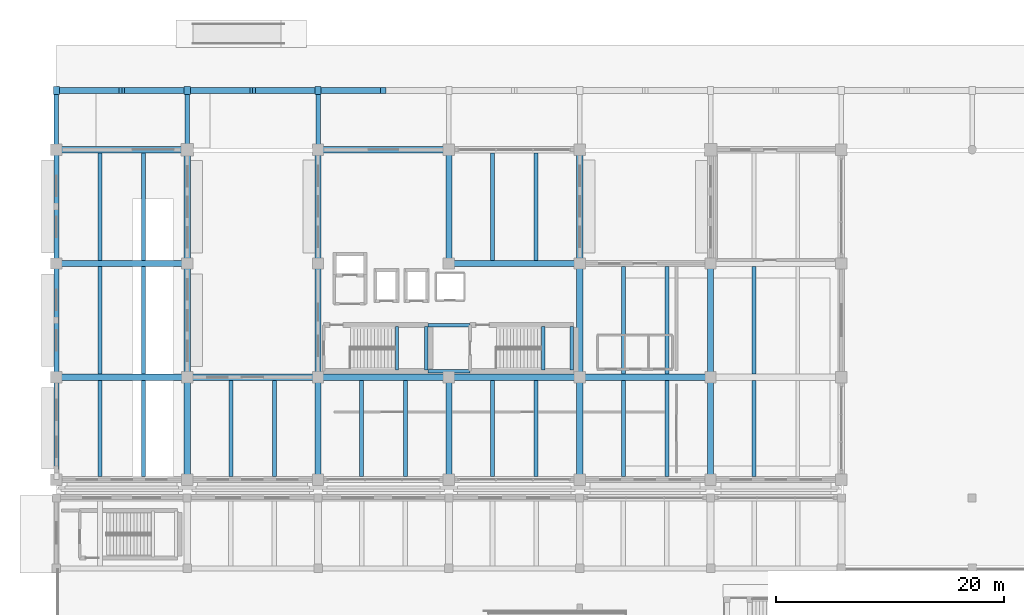
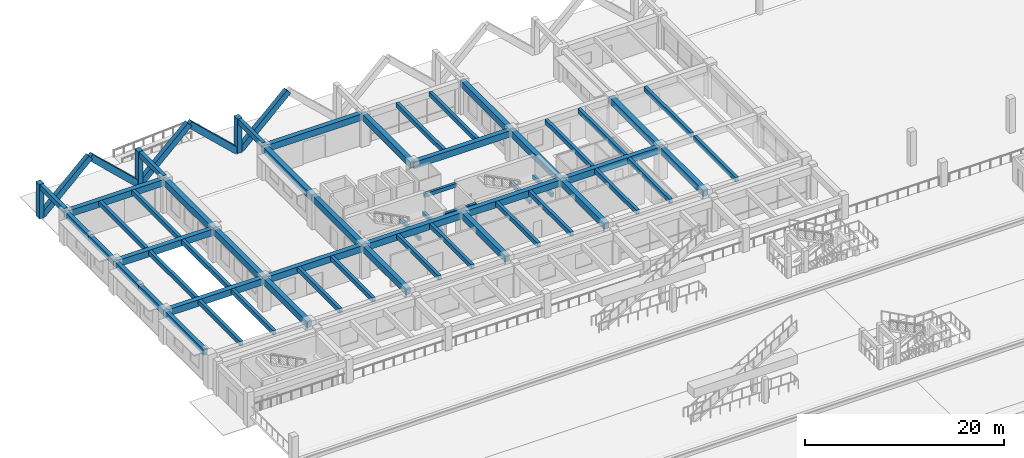
# One storey, part 33 of 109: 56 beams, 8 members.
"""IFC4 building model written with IfcOpenShell, lengths in metres."""

from ifc_helpers import new_model, si_unit, direction, frame, origin, origin_2d, place, context, subcontext, project, spatial, rectangle, extrude, material, material_profile, profile_set, type_object, element, save


model = new_model("IFC4")

# Units and contexts
model_context = context("Model", 3, precision=1e-05, world=origin(), true_north=direction((0.0, 1.0)))
body_context = subcontext(model_context, "Body", "Model", "MODEL_VIEW")
ifc_project = project(units=[si_unit("LENGTHUNIT", "METRE"), si_unit("AREAUNIT", "SQUARE_METRE"), si_unit("VOLUMEUNIT", "CUBIC_METRE"), si_unit("PLANEANGLEUNIT", "RADIAN"), si_unit("MASSUNIT", "GRAM", prefix="KILO")], contexts=[model_context])

# Site, building, storey
site_placement = place(None, origin())
site = spatial("IfcSite", under=ifc_project, at=site_placement, CompositionType="ELEMENT")
building_placement = place(site_placement, origin())
building = spatial("IfcBuilding", under=site, at=building_placement, Name="Ologun Quay Terminus", CompositionType="ELEMENT")
storey_placement = place(building_placement, origin())
storey = spatial("IfcBuildingStorey", under=building, at=storey_placement, Name="L00", CompositionType="ELEMENT", Elevation=0.0)

# Beams
ifc_material_1 = material(Name="Concrete C40/50", Category="concrete")
ifc_material_profile_1 = material_profile(ifc_material_1, rectangle(XDim=0.300048828125, YDim=0.449951171875, at=origin_2d()), Name="RC 300x450")
ifc_profile_set_1 = profile_set([ifc_material_profile_1], Name="Concrete C40/50")
beam_type_1 = type_object("IfcBeamType", Name="Core Coupling Lintel Beam 300x450", PredefinedType="LINTEL", material=ifc_profile_set_1)
for number, where, z_axis, x_axis, name in (
    (1, (32.64990234375, 95.324951171875, 3.72509765625), (1.0, 0.0, 0.0), (0.0, 1.0, 0.0), "LN1 Beam 4/H L00"),
    (2, (32.64990234375, 99.375, 3.72509765625), (1.0, 0.0, 0.0), (0.0, 1.0, 0.0), "LN1 Beam 4/H L00"),
):
    element("IfcBeam", number, at=place(storey_placement, frame(where, z_axis=z_axis, x_axis=x_axis)), inside=storey, type_object=beam_type_1, Name=name, PredefinedType="LINTEL", context=body_context, shape_type="SweptSolid", body=[
        extrude(rectangle(XDim=0.300048828125, YDim=0.449951171875, at=origin_2d()), origin(), (0.0, 0.0, 1.0), 3.7001953125),
    ])
for number, where, z_axis, x_axis, name in (
    (3, (29.93994140625, 95.429931640625, 1.695068359375), (0.0, 1.0, 0.0), (-1.0, 0.0, 0.0), "LN1 Half-Landing Ledger Beam ST-W1-W L00"),
    (4, (32.510009765625, 95.429931640625, 1.695068359375), (0.0, 1.0, 0.0), (-1.0, 0.0, 0.0), "LN1 Half-Landing Ledger Beam ST-W1-E L00"),
    (5, (42.7900390625, 95.429931640625, 1.695068359375), (0.0, 1.0, 0.0), (-1.0, 0.0, 0.0), "LN1 Half-Landing Ledger Beam ST-W2-W L00"),
    (6, (45.31005859375, 95.429931640625, 1.695068359375), (0.0, 1.0, 0.0), (-1.0, 0.0, 0.0), "LN1 Half-Landing Ledger Beam ST-W2-E L00"),
):
    element("IfcBeam", number, at=place(storey_placement, frame(where, z_axis=z_axis, x_axis=x_axis)), inside=storey, type_object=beam_type_1, Name=name, PredefinedType="LINTEL", context=body_context, shape_type="SweptSolid", body=[
        extrude(rectangle(XDim=0.300048828125, YDim=0.449951171875, at=origin_2d()), origin(), (0.0, 0.0, 1.0), 3.840087890625),
    ])
ifc_material_2 = material(Name="Concrete C40/50", Category="concrete")
ifc_material_profile_2 = material_profile(ifc_material_2, rectangle(XDim=0.550048828125, YDim=0.800048828125, at=origin_2d()), Name="RC 550x800")
ifc_profile_set_2 = profile_set([ifc_material_profile_2], Name="Concrete C40/50")
beam_type_2 = type_object("IfcBeamType", Name="Courtyard Wing Primary Girder 550x800", PredefinedType="BEAM", material=ifc_profile_set_2)
for number, where, z_axis, x_axis, name in (
    (7, (0.0, 94.800048828125, 3.550048828125), (1.0, 0.0, 0.0), (0.0, 1.0, 0.0), "B4 Beam 1/H L00"),
    (8, (11.5, 94.800048828125, 3.550048828125), (1.0, 0.0, 0.0), (0.0, 1.0, 0.0), "B4 Beam 2/H L00"),
    (9, (23.0, 94.800048828125, 3.550048828125), (1.0, 0.0, 0.0), (0.0, 1.0, 0.0), "B4 Beam 3/H L00"),
    (10, (34.5, 94.800048828125, 3.550048828125), (1.0, 0.0, 0.0), (0.0, 1.0, 0.0), "B4 Beam 4/H L00"),
    (11, (46.0, 94.800048828125, 3.550048828125), (1.0, 0.0, 0.0), (0.0, 1.0, 0.0), "B4 Beam 5/H L00"),
    (12, (0.0, 104.800048828125, 3.550048828125), (1.0, 0.0, 0.0), (0.0, 1.0, 0.0), "B4 Beam 1/J L00"),
    (13, (34.5, 104.800048828125, 3.550048828125), (1.0, 0.0, 0.0), (0.0, 1.0, 0.0), "B4 Beam 4/J L00"),
    (14, (0.0, 114.800048828125, 3.550048828125), (1.0, 0.0, 0.0), (0.0, 1.0, 0.0), "B4 Beam 1/K L00"),
    (15, (23.0, 114.800048828125, 3.550048828125), (1.0, 0.0, 0.0), (0.0, 1.0, 0.0), "B4 Beam 3/K L00"),
):
    element("IfcBeam", number, at=place(storey_placement, frame(where, z_axis=z_axis, x_axis=x_axis)), inside=storey, type_object=beam_type_2, Name=name, PredefinedType="BEAM", context=body_context, shape_type="SweptSolid", body=[
        extrude(rectangle(XDim=0.550048828125, YDim=0.800048828125, at=origin_2d()), origin(), (0.0, 0.0, 1.0), 11.5),
    ])
beam_1_placement = place(storey_placement, frame((11.5, 85.800048828125, 3.550048828125), z_axis=(0.0, 1.0, 0.0), x_axis=(-1.0, 0.0, 0.0)))
element("IfcBeam", 16, at=beam_1_placement, inside=storey, type_object=beam_type_2, Name="B4 Beam 2/G2 L00", PredefinedType="BEAM", context=body_context, shape_type="SweptSolid", body=[
    extrude(rectangle(XDim=0.550048828125, YDim=0.800048828125, at=origin_2d()), origin(), (0.0, 0.0, 1.0), 9.0),
])
for number, where, z_axis, x_axis, name in (
    (17, (11.5, 94.800048828125, 3.550048828125), (0.0, 1.0, 0.0), (-1.0, 0.0, 0.0), "B4 Beam 2/H L00"),
    (18, (11.5, 104.800048828125, 3.550048828125), (0.0, 1.0, 0.0), (-1.0, 0.0, 0.0), "B4 Beam 2/J L00"),
):
    element("IfcBeam", number, at=place(storey_placement, frame(where, z_axis=z_axis, x_axis=x_axis)), inside=storey, type_object=beam_type_2, Name=name, PredefinedType="BEAM", context=body_context, shape_type="SweptSolid", body=[
        extrude(rectangle(XDim=0.550048828125, YDim=0.800048828125, at=origin_2d()), origin(), (0.0, 0.0, 1.0), 10.0),
    ])
beam_2_placement = place(storey_placement, frame((23.0, 85.800048828125, 3.550048828125), z_axis=(0.0, 1.0, 0.0), x_axis=(-1.0, 0.0, 0.0)))
element("IfcBeam", 19, at=beam_2_placement, inside=storey, type_object=beam_type_2, Name="B4 Beam 3/G2 L00", PredefinedType="BEAM", context=body_context, shape_type="SweptSolid", body=[
    extrude(rectangle(XDim=0.550048828125, YDim=0.800048828125, at=origin_2d()), origin(), (0.0, 0.0, 1.0), 9.0),
])
for number, where, z_axis, x_axis, name in (
    (20, (23.0, 94.800048828125, 3.550048828125), (0.0, 1.0, 0.0), (-1.0, 0.0, 0.0), "B4 Beam 3/H L00"),
    (21, (23.0, 104.800048828125, 3.550048828125), (0.0, 1.0, 0.0), (-1.0, 0.0, 0.0), "B4 Beam 3/J L00"),
):
    element("IfcBeam", number, at=place(storey_placement, frame(where, z_axis=z_axis, x_axis=x_axis)), inside=storey, type_object=beam_type_2, Name=name, PredefinedType="BEAM", context=body_context, shape_type="SweptSolid", body=[
        extrude(rectangle(XDim=0.550048828125, YDim=0.800048828125, at=origin_2d()), origin(), (0.0, 0.0, 1.0), 10.0),
    ])
beam_3_placement = place(storey_placement, frame((34.5, 85.800048828125, 3.550048828125), z_axis=(0.0, 1.0, 0.0), x_axis=(-1.0, 0.0, 0.0)))
element("IfcBeam", 22, at=beam_3_placement, inside=storey, type_object=beam_type_2, Name="B4 Beam 4/G2 L00", PredefinedType="BEAM", context=body_context, shape_type="SweptSolid", body=[
    extrude(rectangle(XDim=0.550048828125, YDim=0.800048828125, at=origin_2d()), origin(), (0.0, 0.0, 1.0), 9.0),
])
beam_4_placement = place(storey_placement, frame((34.5, 104.800048828125, 3.550048828125), z_axis=(0.0, 1.0, 0.0), x_axis=(-1.0, 0.0, 0.0)))
element("IfcBeam", 23, at=beam_4_placement, inside=storey, type_object=beam_type_2, Name="B4 Beam 4/J L00", PredefinedType="BEAM", context=body_context, shape_type="SweptSolid", body=[
    extrude(rectangle(XDim=0.550048828125, YDim=0.800048828125, at=origin_2d()), origin(), (0.0, 0.0, 1.0), 10.0),
])
beam_5_placement = place(storey_placement, frame((46.0, 85.800048828125, 3.550048828125), z_axis=(0.0, 1.0, 0.0), x_axis=(-1.0, 0.0, 0.0)))
element("IfcBeam", 24, at=beam_5_placement, inside=storey, type_object=beam_type_2, Name="B4 Beam 5/G2 L00", PredefinedType="BEAM", context=body_context, shape_type="SweptSolid", body=[
    extrude(rectangle(XDim=0.550048828125, YDim=0.800048828125, at=origin_2d()), origin(), (0.0, 0.0, 1.0), 9.0),
])
for number, where, z_axis, x_axis, name in (
    (25, (46.0, 94.800048828125, 3.550048828125), (0.0, 1.0, 0.0), (-1.0, 0.0, 0.0), "B4 Beam 5/H L00"),
    (26, (46.0, 104.800048828125, 3.550048828125), (0.0, 1.0, 0.0), (-1.0, 0.0, 0.0), "B4 Beam 5/J L00"),
):
    element("IfcBeam", number, at=place(storey_placement, frame(where, z_axis=z_axis, x_axis=x_axis)), inside=storey, type_object=beam_type_2, Name=name, PredefinedType="BEAM", context=body_context, shape_type="SweptSolid", body=[
        extrude(rectangle(XDim=0.550048828125, YDim=0.800048828125, at=origin_2d()), origin(), (0.0, 0.0, 1.0), 10.0),
    ])
beam_6_placement = place(storey_placement, frame((57.5, 85.800048828125, 3.550048828125), z_axis=(0.0, 1.0, 0.0), x_axis=(-1.0, 0.0, 0.0)))
element("IfcBeam", 27, at=beam_6_placement, inside=storey, type_object=beam_type_2, Name="B4 Beam 6/G2 L00", PredefinedType="BEAM", context=body_context, shape_type="SweptSolid", body=[
    extrude(rectangle(XDim=0.550048828125, YDim=0.800048828125, at=origin_2d()), origin(), (0.0, 0.0, 1.0), 9.0),
])
beam_7_placement = place(storey_placement, frame((57.5, 94.800048828125, 3.550048828125), z_axis=(0.0, 1.0, 0.0), x_axis=(-1.0, 0.0, 0.0)))
element("IfcBeam", 28, at=beam_7_placement, inside=storey, type_object=beam_type_2, Name="B4 Beam 6/H L00", PredefinedType="BEAM", context=body_context, shape_type="SweptSolid", body=[
    extrude(rectangle(XDim=0.550048828125, YDim=0.800048828125, at=origin_2d()), origin(), (0.0, 0.0, 1.0), 10.0),
])
ifc_material_3 = material(Name="Concrete C40/50", Category="concrete")
ifc_material_profile_3 = material_profile(ifc_material_3, rectangle(XDim=0.35009765625, YDim=0.550048828125, at=origin_2d()), Name="RC 350x550")
ifc_profile_set_3 = profile_set([ifc_material_profile_3], Name="Concrete C40/50")
beam_type_3 = type_object("IfcBeamType", Name="Courtyard Wing Secondary Joist 350x550", PredefinedType="JOIST", material=ifc_profile_set_3)
for number, where, z_axis, x_axis, name in (
    (29, (3.833251953125, 86.074951171875, 3.675048828125), (0.0, 1.0, 0.0), (-1.0, 0.0, 0.0), "J2 Beam 1/G2 L00"),
    (30, (7.666748046875, 86.074951171875, 3.675048828125), (0.0, 1.0, 0.0), (-1.0, 0.0, 0.0), "J2 Beam 1/G2 L00"),
):
    element("IfcBeam", number, at=place(storey_placement, frame(where, z_axis=z_axis, x_axis=x_axis)), inside=storey, type_object=beam_type_3, Name=name, PredefinedType="JOIST", context=body_context, shape_type="SweptSolid", body=[
        extrude(rectangle(XDim=0.35009765625, YDim=0.550048828125, at=origin_2d()), origin(), (0.0, 0.0, 1.0), 8.449951171875),
    ])
for number, where, z_axis, x_axis, name in (
    (31, (3.833251953125, 95.074951171875, 3.675048828125), (0.0, 1.0, 0.0), (-1.0, 0.0, 0.0), "J2 Beam 1/H L00"),
    (32, (7.666748046875, 95.074951171875, 3.675048828125), (0.0, 1.0, 0.0), (-1.0, 0.0, 0.0), "J2 Beam 1/H L00"),
    (33, (3.833251953125, 105.074951171875, 3.675048828125), (0.0, 1.0, 0.0), (-1.0, 0.0, 0.0), "J2 Beam 1/J L00"),
    (34, (7.666748046875, 105.074951171875, 3.675048828125), (0.0, 1.0, 0.0), (-1.0, 0.0, 0.0), "J2 Beam 1/J L00"),
):
    element("IfcBeam", number, at=place(storey_placement, frame(where, z_axis=z_axis, x_axis=x_axis)), inside=storey, type_object=beam_type_3, Name=name, PredefinedType="JOIST", context=body_context, shape_type="SweptSolid", body=[
        extrude(rectangle(XDim=0.35009765625, YDim=0.550048828125, at=origin_2d()), origin(), (0.0, 0.0, 1.0), 9.449951171875),
    ])
for number, where, z_axis, x_axis, name in (
    (35, (15.333251953125, 86.074951171875, 3.675048828125), (0.0, 1.0, 0.0), (-1.0, 0.0, 0.0), "J2 Beam 2/G2 L00"),
    (36, (19.166748046875, 86.074951171875, 3.675048828125), (0.0, 1.0, 0.0), (-1.0, 0.0, 0.0), "J2 Beam 2/G2 L00"),
    (37, (26.833251953125, 86.074951171875, 3.675048828125), (0.0, 1.0, 0.0), (-1.0, 0.0, 0.0), "J2 Beam 3/G2 L00"),
    (38, (30.666748046875, 86.074951171875, 3.675048828125), (0.0, 1.0, 0.0), (-1.0, 0.0, 0.0), "J2 Beam 3/G2 L00"),
    (39, (38.333251953125, 86.074951171875, 3.675048828125), (0.0, 1.0, 0.0), (-1.0, 0.0, 0.0), "J2 Beam 4/G2 L00"),
    (40, (42.166748046875, 86.074951171875, 3.675048828125), (0.0, 1.0, 0.0), (-1.0, 0.0, 0.0), "J2 Beam 4/G2 L00"),
):
    element("IfcBeam", number, at=place(storey_placement, frame(where, z_axis=z_axis, x_axis=x_axis)), inside=storey, type_object=beam_type_3, Name=name, PredefinedType="JOIST", context=body_context, shape_type="SweptSolid", body=[
        extrude(rectangle(XDim=0.35009765625, YDim=0.550048828125, at=origin_2d()), origin(), (0.0, 0.0, 1.0), 8.449951171875),
    ])
for number, where, z_axis, x_axis, name in (
    (41, (38.333251953125, 105.074951171875, 3.675048828125), (0.0, 1.0, 0.0), (-1.0, 0.0, 0.0), "J2 Beam 4/J L00"),
    (42, (42.166748046875, 105.074951171875, 3.675048828125), (0.0, 1.0, 0.0), (-1.0, 0.0, 0.0), "J2 Beam 4/J L00"),
):
    element("IfcBeam", number, at=place(storey_placement, frame(where, z_axis=z_axis, x_axis=x_axis)), inside=storey, type_object=beam_type_3, Name=name, PredefinedType="JOIST", context=body_context, shape_type="SweptSolid", body=[
        extrude(rectangle(XDim=0.35009765625, YDim=0.550048828125, at=origin_2d()), origin(), (0.0, 0.0, 1.0), 9.449951171875),
    ])
for number, where, z_axis, x_axis, name in (
    (43, (49.833251953125, 86.074951171875, 3.675048828125), (0.0, 1.0, 0.0), (-1.0, 0.0, 0.0), "J2 Beam 5/G2 L00"),
    (44, (53.666748046875, 86.074951171875, 3.675048828125), (0.0, 1.0, 0.0), (-1.0, 0.0, 0.0), "J2 Beam 5/G2 L00"),
):
    element("IfcBeam", number, at=place(storey_placement, frame(where, z_axis=z_axis, x_axis=x_axis)), inside=storey, type_object=beam_type_3, Name=name, PredefinedType="JOIST", context=body_context, shape_type="SweptSolid", body=[
        extrude(rectangle(XDim=0.35009765625, YDim=0.550048828125, at=origin_2d()), origin(), (0.0, 0.0, 1.0), 8.449951171875),
    ])
for number, where, z_axis, x_axis, name in (
    (45, (49.833251953125, 95.074951171875, 3.675048828125), (0.0, 1.0, 0.0), (-1.0, 0.0, 0.0), "J2 Beam 5/H L00"),
    (46, (53.666748046875, 95.074951171875, 3.675048828125), (0.0, 1.0, 0.0), (-1.0, 0.0, 0.0), "J2 Beam 5/H L00"),
):
    element("IfcBeam", number, at=place(storey_placement, frame(where, z_axis=z_axis, x_axis=x_axis)), inside=storey, type_object=beam_type_3, Name=name, PredefinedType="JOIST", context=body_context, shape_type="SweptSolid", body=[
        extrude(rectangle(XDim=0.35009765625, YDim=0.550048828125, at=origin_2d()), origin(), (0.0, 0.0, 1.0), 9.449951171875),
    ])
beam_8_placement = place(storey_placement, frame((61.333251953125, 86.074951171875, 3.675048828125), z_axis=(0.0, 1.0, 0.0), x_axis=(-1.0, 0.0, 0.0)))
element("IfcBeam", 47, at=beam_8_placement, inside=storey, type_object=beam_type_3, Name="J2 Beam 6/G2 L00", PredefinedType="JOIST", context=body_context, shape_type="SweptSolid", body=[
    extrude(rectangle(XDim=0.35009765625, YDim=0.550048828125, at=origin_2d()), origin(), (0.0, 0.0, 1.0), 8.449951171875),
])
beam_9_placement = place(storey_placement, frame((61.333251953125, 95.074951171875, 3.675048828125), z_axis=(0.0, 1.0, 0.0), x_axis=(-1.0, 0.0, 0.0)))
element("IfcBeam", 48, at=beam_9_placement, inside=storey, type_object=beam_type_3, Name="J2 Beam 6/H L00", PredefinedType="JOIST", context=body_context, shape_type="SweptSolid", body=[
    extrude(rectangle(XDim=0.35009765625, YDim=0.550048828125, at=origin_2d()), origin(), (0.0, 0.0, 1.0), 9.449951171875),
])

# Members
ifc_material_4 = material(Name="Concrete C45/55", Category="concrete")
ifc_material_profile_4 = material_profile(ifc_material_4, rectangle(XDim=0.550048828125, YDim=0.699951171875, at=origin_2d()), Name="RC 550x700")
ifc_profile_set_4 = profile_set([ifc_material_profile_4], Name="Concrete C45/55")
member_type = type_object("IfcMemberType", Name="Folded Canopy Concrete V-Strut 550x700", PredefinedType="STRUT", material=ifc_profile_set_4)
for number, where, z_axis, x_axis, name in (
    (49, (0.0, 120.0, 0.0), (0.0, 0.0, 1.0), (1.0, 0.0, 0.0), "VS2 Harbour Colonnade Pier 1/L"),
    (50, (11.5, 120.0, 0.0), (0.0, 0.0, 1.0), (1.0, 0.0, 0.0), "VS2 Harbour Colonnade Pier 2/L"),
):
    element("IfcMember", number, at=place(storey_placement, frame(where, z_axis=z_axis, x_axis=x_axis)), inside=storey, type_object=member_type, Name=name, PredefinedType="STRUT", context=body_context, shape_type="SweptSolid", body=[
        extrude(rectangle(XDim=0.550048828125, YDim=0.699951171875, at=origin_2d()), origin(), (0.0, 0.0, 1.0), 4.219970703125),
    ])
for number, where, z_axis, x_axis, name in (
    (51, (0.0, 120.0, 0.0), (0.727684573488, 0.0, 0.685911919643), (0.0, 1.0, 0.0), "VS2 Colonnade Strut 1/L-E"),
    (52, (11.5, 120.0, 0.0), (-0.727684573488, 0.0, 0.685911919643), (0.0, -1.0, 0.0), "VS2 Colonnade Strut 2/L-W"),
):
    element("IfcMember", number, at=place(storey_placement, frame(where, z_axis=z_axis, x_axis=x_axis)), inside=storey, type_object=member_type, Name=name, PredefinedType="STRUT", context=body_context, shape_type="SweptSolid", body=[
        extrude(rectangle(XDim=0.550048828125, YDim=0.699951171875, at=origin_2d()), origin(), (0.0, 0.0, 1.0), 7.90185546875),
    ])
member_placement = place(storey_placement, frame((23.0, 120.0, 0.0), z_axis=(0.0, 0.0, 1.0), x_axis=(1.0, 0.0, 0.0)))
element("IfcMember", 53, at=member_placement, inside=storey, type_object=member_type, Name="VS2 Harbour Colonnade Pier 3/L", PredefinedType="STRUT", context=body_context, shape_type="SweptSolid", body=[
    extrude(rectangle(XDim=0.550048828125, YDim=0.699951171875, at=origin_2d()), origin(), (0.0, 0.0, 1.0), 4.219970703125),
])
for number, where, z_axis, x_axis, name in (
    (54, (11.5, 120.0, 0.0), (0.727684573488, 0.0, 0.685911919643), (0.0, 1.0, 0.0), "VS2 Colonnade Strut 2/L-E"),
    (55, (23.0, 120.0, 0.0), (-0.727684573488, 0.0, 0.685911919643), (0.0, -1.0, 0.0), "VS2 Colonnade Strut 3/L-W"),
    (56, (23.0, 120.0, 0.0), (0.727684573488, 0.0, 0.685911919643), (0.0, 1.0, 0.0), "VS2 Colonnade Strut 3/L-E"),
):
    element("IfcMember", number, at=place(storey_placement, frame(where, z_axis=z_axis, x_axis=x_axis)), inside=storey, type_object=member_type, Name=name, PredefinedType="STRUT", context=body_context, shape_type="SweptSolid", body=[
        extrude(rectangle(XDim=0.550048828125, YDim=0.699951171875, at=origin_2d()), origin(), (0.0, 0.0, 1.0), 7.90185546875),
    ])

# Beams
ifc_material_5 = material(Name="Concrete C40/50", Category="concrete")
ifc_material_profile_5 = material_profile(ifc_material_5, rectangle(XDim=0.449951171875, YDim=0.699951171875, at=origin_2d()), Name="RC 450x700")
ifc_profile_set_5 = profile_set([ifc_material_profile_5], Name="Concrete C40/50")
beam_type_4 = type_object("IfcBeamType", Name="Perimeter Spandrel Beam 450x700", PredefinedType="SPANDREL", material=ifc_profile_set_5)
beam_10_placement = place(storey_placement, frame((0.0, 86.699951171875, 3.60009765625), z_axis=(0.0, 1.0, 0.0), x_axis=(-1.0, 0.0, 0.0)))
element("IfcBeam", 57, at=beam_10_placement, inside=storey, type_object=beam_type_4, Name="SP1 Beam 1/G2 L00", PredefinedType="SPANDREL", context=body_context, shape_type="SweptSolid", body=[
    extrude(rectangle(XDim=0.449951171875, YDim=0.699951171875, at=origin_2d()), origin(), (0.0, 0.0, 1.0), 8.10009765625),
])
for number, where, z_axis, x_axis, name in (
    (58, (0.0, 94.800048828125, 3.60009765625), (0.0, 1.0, 0.0), (-1.0, 0.0, 0.0), "SP1 Beam 1/H L00"),
    (59, (0.0, 99.800048828125, 3.60009765625), (0.0, 1.0, 0.0), (-1.0, 0.0, 0.0), "SP1 Beam 1/H L00"),
    (60, (0.0, 104.800048828125, 3.60009765625), (0.0, 1.0, 0.0), (-1.0, 0.0, 0.0), "SP1 Beam 1/J L00"),
    (61, (0.0, 109.800048828125, 3.60009765625), (0.0, 1.0, 0.0), (-1.0, 0.0, 0.0), "SP1 Beam 1/J L00"),
):
    element("IfcBeam", number, at=place(storey_placement, frame(where, z_axis=z_axis, x_axis=x_axis)), inside=storey, type_object=beam_type_4, Name=name, PredefinedType="SPANDREL", context=body_context, shape_type="SweptSolid", body=[
        extrude(rectangle(XDim=0.449951171875, YDim=0.699951171875, at=origin_2d()), origin(), (0.0, 0.0, 1.0), 5.0),
    ])
ifc_material_6 = material(Name="Concrete C40/50", Category="concrete")
ifc_material_profile_6 = material_profile(ifc_material_6, rectangle(XDim=0.39990234375, YDim=0.64990234375, at=origin_2d()), Name="RC 400x650")
ifc_profile_set_6 = profile_set([ifc_material_profile_6], Name="Concrete C40/50")
beam_type_5 = type_object("IfcBeamType", Name="Station Secondary Joist 400x650", PredefinedType="JOIST", material=ifc_profile_set_6)
for number, where, z_axis, x_axis, name in (
    (62, (0.0, 114.800048828125, 3.89501953125), (0.0, 1.0, 0.0), (-1.0, 0.0, 0.0), "J1 Beam 1/L L00"),
    (63, (11.5, 114.800048828125, 3.89501953125), (0.0, 1.0, 0.0), (-1.0, 0.0, 0.0), "J1 Beam 2/L L00"),
    (64, (23.0, 114.800048828125, 3.89501953125), (0.0, 1.0, 0.0), (-1.0, 0.0, 0.0), "J1 Beam 3/L L00"),
):
    element("IfcBeam", number, at=place(storey_placement, frame(where, z_axis=z_axis, x_axis=x_axis)), inside=storey, type_object=beam_type_5, Name=name, PredefinedType="JOIST", context=body_context, shape_type="SweptSolid", body=[
        extrude(rectangle(XDim=0.39990234375, YDim=0.64990234375, at=origin_2d()), origin(), (0.0, 0.0, 1.0), 5.199951171875),
    ])

save(model, "model.ifc")
